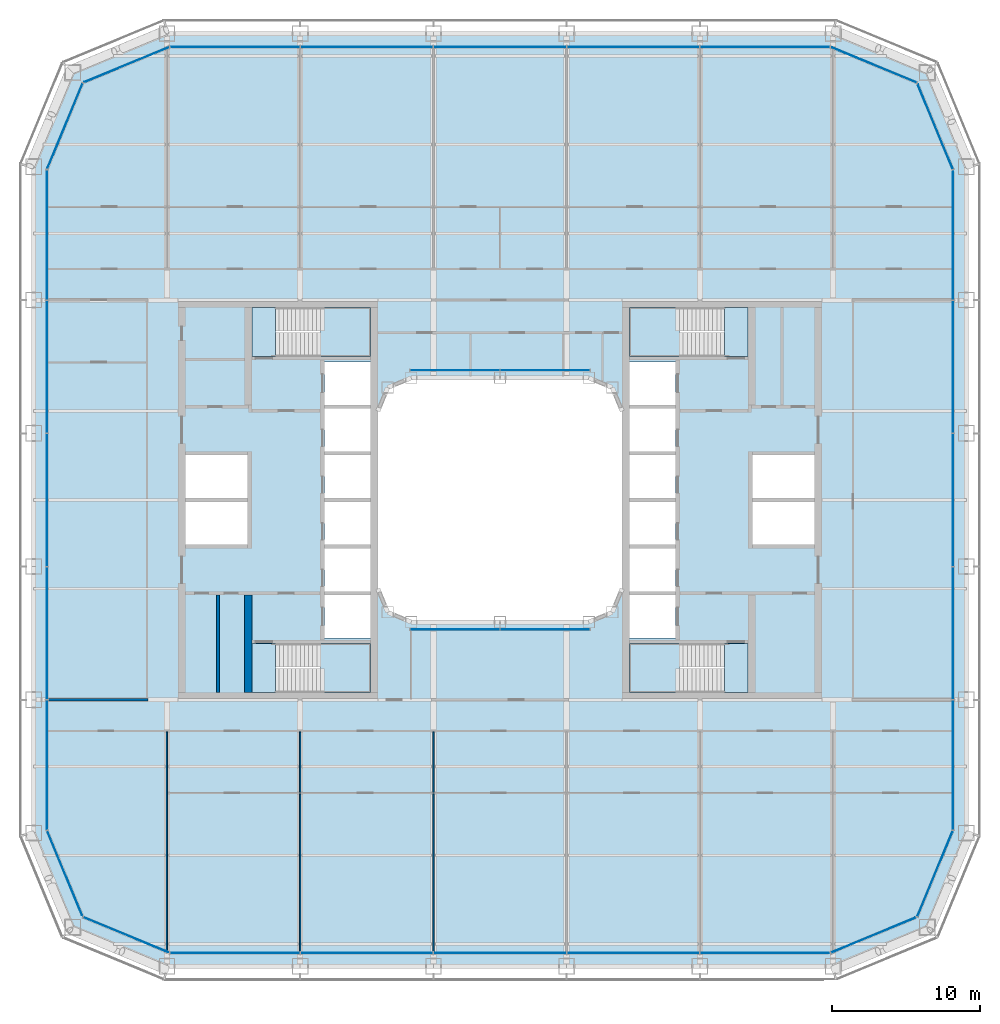
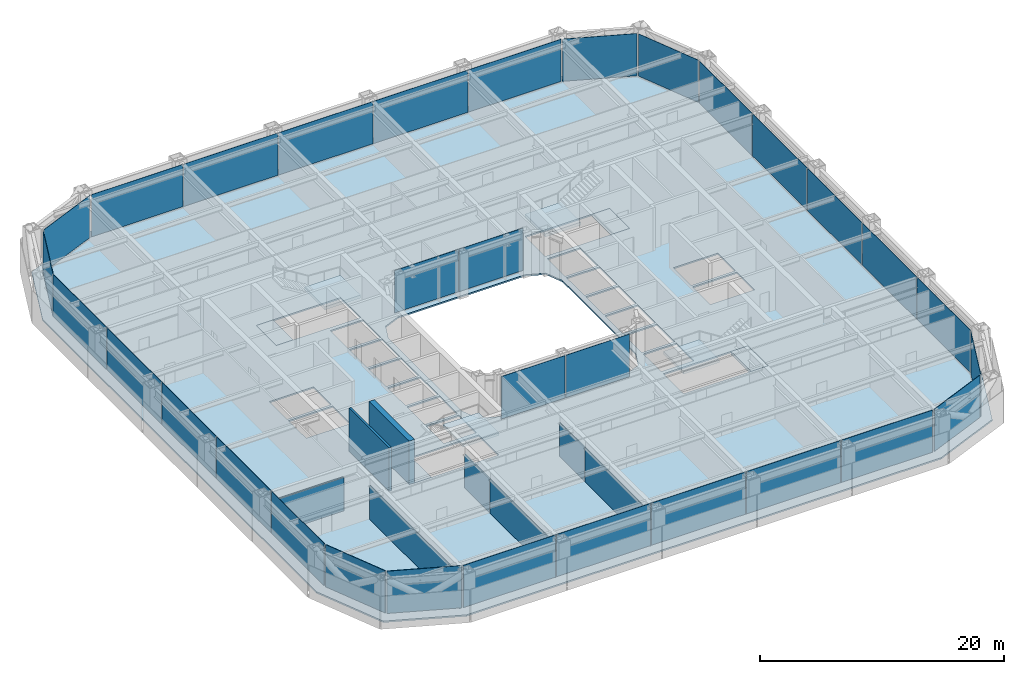
# One storey, part 11 of 24: 32 plates, 9 slabs, 8 walls, 18 elements without a shape of their own.
"""IFC4 building model written with IfcOpenShell, lengths in metres."""

from ifc_helpers import new_model, si_unit, direction, frame, frame_2d, origin, origin_2d, place, context, subcontext, project, spatial, polyline, rectangle, outline, extrude, material, layer, layer_set, type_object, element, aggregate, save


model = new_model("IFC4")

# Units and contexts
model_context = context("Model", 3, precision=1e-05, world=origin(), true_north=direction((0.0, 1.0)))
body_context = subcontext(model_context, "Body", "Model", "MODEL_VIEW")
ifc_project = project(units=[si_unit("LENGTHUNIT", "METRE"), si_unit("AREAUNIT", "SQUARE_METRE"), si_unit("VOLUMEUNIT", "CUBIC_METRE"), si_unit("PLANEANGLEUNIT", "RADIAN"), si_unit("MASSUNIT", "GRAM", prefix="KILO")], contexts=[model_context])

# Site, building, storey
site_placement = place(None, origin())
site = spatial("IfcSite", under=ifc_project, at=site_placement, CompositionType="ELEMENT")
building_placement = place(site_placement, origin())
building = spatial("IfcBuilding", under=site, at=building_placement, Name="Siwar Civic Tower", CompositionType="ELEMENT")
storey_placement = place(building_placement, frame((0.0, 0.0, 22.199951171875)))
storey = spatial("IfcBuildingStorey", under=building, at=storey_placement, Name="L04", CompositionType="ELEMENT", Elevation=22.199951171875)

# Stair, slabs
ifc_material_1 = material(Name="Concrete C40/50", Category="concrete")
stair_type = type_object("IfcStairType", Name="CORE-STAIR", PredefinedType="TWO_STRAIGHT_RUN_STAIR", material=ifc_material_1)
stair_1_placement = place(storey_placement, origin())
stair_1 = element("IfcStair", 1, at=stair_1_placement, inside=storey, type_object=stair_type, Name="Exit stair ST1", PredefinedType="TWO_STRAIGHT_RUN_STAIR")
ifc_material_2 = material(Name="Concrete C40/50", Category="concrete")
ifc_layer_1 = layer(ifc_material_2, 0.300048828125)
ifc_layer_set_1 = layer_set([ifc_layer_1], Name="Concrete C40/50")
slab_type_1 = type_object("IfcSlabType", Name="CORE-STAIR-LANDING", PredefinedType="LANDING", material=ifc_layer_set_1)
slab_1_placement = place(storey_placement, frame((0.0, 0.0, -0.300048828125)))
slab_1 = element("IfcSlab", 2, at=slab_1_placement, type_object=slab_type_1, Name="ST1 landing 1", PredefinedType="LANDING", context=body_context, shape_type="SweptSolid", body=[
    extrude(outline(polyline([(-15.14990234375, 13.0), (-16.75, 13.0), (-16.75, 9.699951171875), (-15.14990234375, 9.699951171875), (-15.14990234375, 13.0)])), origin(), (0.0, 0.0, 1.0), 0.300048828125),
])
slab_2_placement = place(storey_placement, frame((0.0, 0.0, 1.949951171875)))
slab_2 = element("IfcSlab", 3, at=slab_2_placement, type_object=slab_type_1, Name="ST1 landing 2", PredefinedType="LANDING", context=body_context, shape_type="SweptSolid", body=[
    extrude(outline(polyline([(-8.75, 13.0), (-12.139892578125, 13.0), (-12.139892578125, 9.699951171875), (-8.75, 9.699951171875), (-8.75, 13.0)])), origin(), (0.0, 0.0, 1.0), 0.300048828125),
])
aggregate(stair_1, [slab_1, slab_2])

stair_2_placement = place(storey_placement, origin())
stair_2 = element("IfcStair", 4, at=stair_2_placement, inside=storey, type_object=stair_type, Name="Exit stair ST2", PredefinedType="TWO_STRAIGHT_RUN_STAIR")
slab_3_placement = place(storey_placement, frame((0.0, 0.0, -0.300048828125)))
slab_3 = element("IfcSlab", 5, at=slab_3_placement, type_object=slab_type_1, Name="ST2 landing 1", PredefinedType="LANDING", context=body_context, shape_type="SweptSolid", body=[
    extrude(outline(polyline([(-15.14990234375, -9.699951171875), (-16.75, -9.699951171875), (-16.75, -13.0), (-15.14990234375, -13.0), (-15.14990234375, -9.699951171875)])), origin(), (0.0, 0.0, 1.0), 0.300048828125),
])
slab_4_placement = place(storey_placement, frame((0.0, 0.0, 1.949951171875)))
slab_4 = element("IfcSlab", 6, at=slab_4_placement, type_object=slab_type_1, Name="ST2 landing 2", PredefinedType="LANDING", context=body_context, shape_type="SweptSolid", body=[
    extrude(outline(polyline([(-8.75, -9.699951171875), (-12.139892578125, -9.699951171875), (-12.139892578125, -13.0), (-8.75, -13.0), (-8.75, -9.699951171875)])), origin(), (0.0, 0.0, 1.0), 0.300048828125),
])
aggregate(stair_2, [slab_3, slab_4])

stair_3_placement = place(storey_placement, origin())
stair_3 = element("IfcStair", 7, at=stair_3_placement, inside=storey, type_object=stair_type, Name="Exit stair ST3", PredefinedType="TWO_STRAIGHT_RUN_STAIR")
slab_5_placement = place(storey_placement, frame((0.0, 0.0, -0.300048828125)))
slab_5 = element("IfcSlab", 8, at=slab_5_placement, type_object=slab_type_1, Name="ST3 landing 1", PredefinedType="LANDING", context=body_context, shape_type="SweptSolid", body=[
    extrude(outline(polyline([(15.14990234375, 9.699951171875), (16.75, 9.699951171875), (16.75, 13.0), (15.14990234375, 13.0), (15.14990234375, 9.699951171875)])), origin(), (0.0, 0.0, 1.0), 0.300048828125),
])
slab_6_placement = place(storey_placement, frame((0.0, 0.0, 1.949951171875)))
slab_6 = element("IfcSlab", 9, at=slab_6_placement, type_object=slab_type_1, Name="ST3 landing 2", PredefinedType="LANDING", context=body_context, shape_type="SweptSolid", body=[
    extrude(outline(polyline([(8.75, 9.699951171875), (12.139892578125, 9.699951171875), (12.139892578125, 13.0), (8.75, 13.0), (8.75, 9.699951171875)])), origin(), (0.0, 0.0, 1.0), 0.300048828125),
])
aggregate(stair_3, [slab_5, slab_6])

stair_4_placement = place(storey_placement, origin())
stair_4 = element("IfcStair", 10, at=stair_4_placement, inside=storey, type_object=stair_type, Name="Exit stair ST4", PredefinedType="TWO_STRAIGHT_RUN_STAIR")
slab_7_placement = place(storey_placement, frame((0.0, 0.0, -0.300048828125)))
slab_7 = element("IfcSlab", 11, at=slab_7_placement, type_object=slab_type_1, Name="ST4 landing 1", PredefinedType="LANDING", context=body_context, shape_type="SweptSolid", body=[
    extrude(outline(polyline([(15.14990234375, -13.0), (16.75, -13.0), (16.75, -9.699951171875), (15.14990234375, -9.699951171875), (15.14990234375, -13.0)])), origin(), (0.0, 0.0, 1.0), 0.300048828125),
])
slab_8_placement = place(storey_placement, frame((0.0, 0.0, 1.949951171875)))
slab_8 = element("IfcSlab", 12, at=slab_8_placement, type_object=slab_type_1, Name="ST4 landing 2", PredefinedType="LANDING", context=body_context, shape_type="SweptSolid", body=[
    extrude(outline(polyline([(8.75, -13.0), (12.139892578125, -13.0), (12.139892578125, -9.699951171875), (8.75, -9.699951171875), (8.75, -13.0)])), origin(), (0.0, 0.0, 1.0), 0.300048828125),
])
aggregate(stair_4, [slab_7, slab_8])

# Curtain wall, plates
ifc_material_3 = material(Name="Aluminium and glass", Category="aluminium")
ifc_layer_2 = layer(ifc_material_3, 0.219970703125)
ifc_layer_set_2 = layer_set([ifc_layer_2], Name="Aluminium and glass")
curtain_wall_type_1 = type_object("IfcCurtainWallType", Name="ENV-CW-A", PredefinedType="NOTDEFINED", material=ifc_layer_set_2)
curtain_wall_1_placement = place(storey_placement, origin())
curtain_wall_1 = element("IfcCurtainWall", 13, at=curtain_wall_1_placement, inside=storey, type_object=curtain_wall_type_1, Name="Curtain wall A S", PredefinedType="NOTDEFINED")
ifc_material_4 = material(Name="Glass clear laminated", Category="glass")
ifc_layer_3 = layer(ifc_material_4, 0.035888671875)
ifc_layer_set_3 = layer_set([ifc_layer_3], Name="Glass clear laminated")
plate_type_1 = type_object("IfcPlateType", Name="ENV-PANEL-A", PredefinedType="CURTAIN_PANEL", material=ifc_layer_set_3)
plate_1_placement = place(storey_placement, frame((-17.910400390625, -30.60009765625, 0.1201171875), z_axis=(0.0, 0.0, 1.0), x_axis=(1.0, 0.0, 0.0)))
plate_1 = element("IfcPlate", 14, at=plate_1_placement, type_object=plate_type_1, Name="Curtain panel A S 1", PredefinedType="CURTAIN_PANEL", context=body_context, shape_type="SweptSolid", body=[
    extrude(rectangle(XDim=8.7509765625, YDim=0.035888671875, at=origin_2d()), origin(), (0.0, 0.0, 1.0), 4.22998046875),
])
plate_2_placement = place(storey_placement, frame((-9.0, -30.60009765625, 0.1201171875), z_axis=(0.0, 0.0, 1.0), x_axis=(1.0, 0.0, 0.0)))
plate_2 = element("IfcPlate", 15, at=plate_2_placement, type_object=plate_type_1, Name="Curtain panel A S 2", PredefinedType="CURTAIN_PANEL", context=body_context, shape_type="SweptSolid", body=[
    extrude(rectangle(XDim=8.929931640625, YDim=0.035888671875, at=origin_2d()), origin(), (0.0, 0.0, 1.0), 4.22998046875),
])
plate_3_placement = place(storey_placement, frame((0.0, -30.60009765625, 0.1201171875), z_axis=(0.0, 0.0, 1.0), x_axis=(1.0, 0.0, 0.0)))
plate_3 = element("IfcPlate", 16, at=plate_3_placement, type_object=plate_type_1, Name="Curtain panel A S 3", PredefinedType="CURTAIN_PANEL", context=body_context, shape_type="SweptSolid", body=[
    extrude(rectangle(XDim=8.929931640625, YDim=0.035888671875, at=origin_2d()), origin(), (0.0, 0.0, 1.0), 4.22998046875),
])
plate_4_placement = place(storey_placement, frame((9.0, -30.60009765625, 0.1201171875), z_axis=(0.0, 0.0, 1.0), x_axis=(1.0, 0.0, 0.0)))
plate_4 = element("IfcPlate", 17, at=plate_4_placement, type_object=plate_type_1, Name="Curtain panel A S 4", PredefinedType="CURTAIN_PANEL", context=body_context, shape_type="SweptSolid", body=[
    extrude(rectangle(XDim=8.929931640625, YDim=0.035888671875, at=origin_2d()), origin(), (0.0, 0.0, 1.0), 4.22998046875),
])
plate_5_placement = place(storey_placement, frame((17.86669921875, -30.60009765625, 0.1201171875), z_axis=(0.0, 0.0, 1.0), x_axis=(1.0, 0.0, 0.0)))
plate_5 = element("IfcPlate", 18, at=plate_5_placement, type_object=plate_type_1, Name="Curtain panel A S 5", PredefinedType="CURTAIN_PANEL", context=body_context, shape_type="SweptSolid", body=[
    extrude(rectangle(XDim=8.663330078125, YDim=0.035888671875, at=origin_2d()), origin(), (0.0, 0.0, 1.0), 4.22998046875),
])
aggregate(curtain_wall_1, [plate_1, plate_2, plate_3, plate_4, plate_5])

curtain_wall_2_placement = place(storey_placement, origin())
curtain_wall_2 = element("IfcCurtainWall", 19, at=curtain_wall_2_placement, inside=storey, type_object=curtain_wall_type_1, Name="Curtain wall A E", PredefinedType="NOTDEFINED")
plate_6_placement = place(storey_placement, frame((30.60009765625, -17.910400390625, 0.1201171875), z_axis=(0.0, 0.0, 1.0), x_axis=(0.0, 1.0, 0.0)))
plate_6 = element("IfcPlate", 20, at=plate_6_placement, type_object=plate_type_1, Name="Curtain panel A E 1", PredefinedType="CURTAIN_PANEL", context=body_context, shape_type="SweptSolid", body=[
    extrude(rectangle(XDim=8.7509765625, YDim=0.035888671875, at=origin_2d()), origin(), (0.0, 0.0, 1.0), 4.22998046875),
])
plate_7_placement = place(storey_placement, frame((30.60009765625, -9.0, 0.1201171875), z_axis=(0.0, 0.0, 1.0), x_axis=(0.0, 1.0, 0.0)))
plate_7 = element("IfcPlate", 21, at=plate_7_placement, type_object=plate_type_1, Name="Curtain panel A E 2", PredefinedType="CURTAIN_PANEL", context=body_context, shape_type="SweptSolid", body=[
    extrude(rectangle(XDim=8.929931640625, YDim=0.035888671875, at=origin_2d()), origin(), (0.0, 0.0, 1.0), 4.22998046875),
])
plate_8_placement = place(storey_placement, frame((30.60009765625, 0.0, 0.1201171875), z_axis=(0.0, 0.0, 1.0), x_axis=(0.0, 1.0, 0.0)))
plate_8 = element("IfcPlate", 22, at=plate_8_placement, type_object=plate_type_1, Name="Curtain panel A E 3", PredefinedType="CURTAIN_PANEL", context=body_context, shape_type="SweptSolid", body=[
    extrude(rectangle(XDim=8.929931640625, YDim=0.035888671875, at=origin_2d()), origin(), (0.0, 0.0, 1.0), 4.22998046875),
])
plate_9_placement = place(storey_placement, frame((30.60009765625, 9.0, 0.1201171875), z_axis=(0.0, 0.0, 1.0), x_axis=(0.0, 1.0, 0.0)))
plate_9 = element("IfcPlate", 23, at=plate_9_placement, type_object=plate_type_1, Name="Curtain panel A E 4", PredefinedType="CURTAIN_PANEL", context=body_context, shape_type="SweptSolid", body=[
    extrude(rectangle(XDim=8.929931640625, YDim=0.035888671875, at=origin_2d()), origin(), (0.0, 0.0, 1.0), 4.22998046875),
])
plate_10_placement = place(storey_placement, frame((30.60009765625, 17.86669921875, 0.1201171875), z_axis=(0.0, 0.0, 1.0), x_axis=(0.0, 1.0, 0.0)))
plate_10 = element("IfcPlate", 24, at=plate_10_placement, type_object=plate_type_1, Name="Curtain panel A E 5", PredefinedType="CURTAIN_PANEL", context=body_context, shape_type="SweptSolid", body=[
    extrude(rectangle(XDim=8.663330078125, YDim=0.035888671875, at=origin_2d()), origin(), (0.0, 0.0, 1.0), 4.22998046875),
])
aggregate(curtain_wall_2, [plate_6, plate_7, plate_8, plate_9, plate_10])

curtain_wall_3_placement = place(storey_placement, origin())
curtain_wall_3 = element("IfcCurtainWall", 25, at=curtain_wall_3_placement, inside=storey, type_object=curtain_wall_type_1, Name="Curtain wall A N", PredefinedType="NOTDEFINED")
plate_11_placement = place(storey_placement, frame((17.910400390625, 30.60009765625, 0.1201171875), z_axis=(0.0, 0.0, 1.0), x_axis=(-1.0, 0.0, 0.0)))
plate_11 = element("IfcPlate", 26, at=plate_11_placement, type_object=plate_type_1, Name="Curtain panel A N 1", PredefinedType="CURTAIN_PANEL", context=body_context, shape_type="SweptSolid", body=[
    extrude(rectangle(XDim=8.7509765625, YDim=0.035888671875, at=origin_2d()), origin(), (0.0, 0.0, 1.0), 4.22998046875),
])
plate_12_placement = place(storey_placement, frame((9.0, 30.60009765625, 0.1201171875), z_axis=(0.0, 0.0, 1.0), x_axis=(-1.0, 0.0, 0.0)))
plate_12 = element("IfcPlate", 27, at=plate_12_placement, type_object=plate_type_1, Name="Curtain panel A N 2", PredefinedType="CURTAIN_PANEL", context=body_context, shape_type="SweptSolid", body=[
    extrude(rectangle(XDim=8.929931640625, YDim=0.035888671875, at=origin_2d()), origin(), (0.0, 0.0, 1.0), 4.22998046875),
])
plate_13_placement = place(storey_placement, frame((0.0, 30.60009765625, 0.1201171875), z_axis=(0.0, 0.0, 1.0), x_axis=(-1.0, 0.0, 0.0)))
plate_13 = element("IfcPlate", 28, at=plate_13_placement, type_object=plate_type_1, Name="Curtain panel A N 3", PredefinedType="CURTAIN_PANEL", context=body_context, shape_type="SweptSolid", body=[
    extrude(rectangle(XDim=8.929931640625, YDim=0.035888671875, at=origin_2d()), origin(), (0.0, 0.0, 1.0), 4.22998046875),
])
plate_14_placement = place(storey_placement, frame((-9.0, 30.60009765625, 0.1201171875), z_axis=(0.0, 0.0, 1.0), x_axis=(-1.0, 0.0, 0.0)))
plate_14 = element("IfcPlate", 29, at=plate_14_placement, type_object=plate_type_1, Name="Curtain panel A N 4", PredefinedType="CURTAIN_PANEL", context=body_context, shape_type="SweptSolid", body=[
    extrude(rectangle(XDim=8.929931640625, YDim=0.035888671875, at=origin_2d()), origin(), (0.0, 0.0, 1.0), 4.22998046875),
])
plate_15_placement = place(storey_placement, frame((-17.86669921875, 30.60009765625, 0.1201171875), z_axis=(0.0, 0.0, 1.0), x_axis=(-1.0, 0.0, 0.0)))
plate_15 = element("IfcPlate", 30, at=plate_15_placement, type_object=plate_type_1, Name="Curtain panel A N 5", PredefinedType="CURTAIN_PANEL", context=body_context, shape_type="SweptSolid", body=[
    extrude(rectangle(XDim=8.663330078125, YDim=0.035888671875, at=origin_2d()), origin(), (0.0, 0.0, 1.0), 4.22998046875),
])
aggregate(curtain_wall_3, [plate_11, plate_12, plate_13, plate_14, plate_15])

curtain_wall_4_placement = place(storey_placement, origin())
curtain_wall_4 = element("IfcCurtainWall", 31, at=curtain_wall_4_placement, inside=storey, type_object=curtain_wall_type_1, Name="Curtain wall A W", PredefinedType="NOTDEFINED")
plate_16_placement = place(storey_placement, frame((-30.60009765625, 17.910400390625, 0.1201171875), z_axis=(0.0, 0.0, 1.0), x_axis=(0.0, -1.0, 0.0)))
plate_16 = element("IfcPlate", 32, at=plate_16_placement, type_object=plate_type_1, Name="Curtain panel A W 1", PredefinedType="CURTAIN_PANEL", context=body_context, shape_type="SweptSolid", body=[
    extrude(rectangle(XDim=8.7509765625, YDim=0.035888671875, at=origin_2d()), origin(), (0.0, 0.0, 1.0), 4.22998046875),
])
plate_17_placement = place(storey_placement, frame((-30.60009765625, 9.0, 0.1201171875), z_axis=(0.0, 0.0, 1.0), x_axis=(0.0, -1.0, 0.0)))
plate_17 = element("IfcPlate", 33, at=plate_17_placement, type_object=plate_type_1, Name="Curtain panel A W 2", PredefinedType="CURTAIN_PANEL", context=body_context, shape_type="SweptSolid", body=[
    extrude(rectangle(XDim=8.929931640625, YDim=0.035888671875, at=origin_2d()), origin(), (0.0, 0.0, 1.0), 4.22998046875),
])
plate_18_placement = place(storey_placement, frame((-30.60009765625, 0.0, 0.1201171875), z_axis=(0.0, 0.0, 1.0), x_axis=(0.0, -1.0, 0.0)))
plate_18 = element("IfcPlate", 34, at=plate_18_placement, type_object=plate_type_1, Name="Curtain panel A W 3", PredefinedType="CURTAIN_PANEL", context=body_context, shape_type="SweptSolid", body=[
    extrude(rectangle(XDim=8.929931640625, YDim=0.035888671875, at=origin_2d()), origin(), (0.0, 0.0, 1.0), 4.22998046875),
])
plate_19_placement = place(storey_placement, frame((-30.60009765625, -9.0, 0.1201171875), z_axis=(0.0, 0.0, 1.0), x_axis=(0.0, -1.0, 0.0)))
plate_19 = element("IfcPlate", 35, at=plate_19_placement, type_object=plate_type_1, Name="Curtain panel A W 4", PredefinedType="CURTAIN_PANEL", context=body_context, shape_type="SweptSolid", body=[
    extrude(rectangle(XDim=8.929931640625, YDim=0.035888671875, at=origin_2d()), origin(), (0.0, 0.0, 1.0), 4.22998046875),
])
plate_20_placement = place(storey_placement, frame((-30.60009765625, -17.86669921875, 0.1201171875), z_axis=(0.0, 0.0, 1.0), x_axis=(0.0, -1.0, 0.0)))
plate_20 = element("IfcPlate", 36, at=plate_20_placement, type_object=plate_type_1, Name="Curtain panel A W 5", PredefinedType="CURTAIN_PANEL", context=body_context, shape_type="SweptSolid", body=[
    extrude(rectangle(XDim=8.663330078125, YDim=0.035888671875, at=origin_2d()), origin(), (0.0, 0.0, 1.0), 4.22998046875),
])
aggregate(curtain_wall_4, [plate_16, plate_17, plate_18, plate_19, plate_20])

# Curtain wall, plate
ifc_material_5 = material(Name="Aluminium clad insulated panel", Category="aluminium")
ifc_layer_4 = layer(ifc_material_5, 0.219970703125)
ifc_layer_set_4 = layer_set([ifc_layer_4], Name="Aluminium clad insulated panel")
curtain_wall_type_2 = type_object("IfcCurtainWallType", Name="ENV-CW-AX", PredefinedType="NOTDEFINED", material=ifc_layer_set_4)
curtain_wall_5_placement = place(storey_placement, origin())
curtain_wall_5 = element("IfcCurtainWall", 37, at=curtain_wall_5_placement, inside=storey, type_object=curtain_wall_type_2, Name="Curtain wall A SE1", PredefinedType="NOTDEFINED")
ifc_material_6 = material(Name="Aluminium clad insulated panel", Category="aluminium")
ifc_layer_5 = layer(ifc_material_6, 0.035888671875)
ifc_layer_set_5 = layer_set([ifc_layer_5], Name="Aluminium clad insulated panel")
plate_type_2 = type_object("IfcPlateType", Name="ENV-PANEL-AX", PredefinedType="CURTAIN_PANEL", material=ifc_layer_set_5)
plate_21_placement = place(storey_placement, frame((25.20751953125, -29.404296875, 0.1201171875), z_axis=(0.0, 0.0, 1.0), x_axis=(0.923879532511, 0.382683432365, 0.0)))
plate_21 = element("IfcPlate", 38, at=plate_21_placement, type_object=plate_type_2, Name="Curtain panel A SE1 1", PredefinedType="CURTAIN_PANEL", context=body_context, shape_type="SweptSolid", body=[
    extrude(rectangle(XDim=6.178955078125, YDim=0.035888671875, at=origin_2d()), origin(), (0.0, 0.0, 1.0), 4.22998046875),
])
aggregate(curtain_wall_5, [plate_21])

curtain_wall_6_placement = place(storey_placement, origin())
curtain_wall_6 = element("IfcCurtainWall", 39, at=curtain_wall_6_placement, inside=storey, type_object=curtain_wall_type_2, Name="Curtain wall A SE2", PredefinedType="NOTDEFINED")
plate_22_placement = place(storey_placement, frame((29.370849609375, -25.28857421875, 0.1201171875), z_axis=(0.0, 0.0, 1.0), x_axis=(0.382683432365, 0.923879532511, 0.0)))
plate_22 = element("IfcPlate", 40, at=plate_22_placement, type_object=plate_type_2, Name="Curtain panel A SE2 1", PredefinedType="CURTAIN_PANEL", context=body_context, shape_type="SweptSolid", body=[
    extrude(rectangle(XDim=6.178955078125, YDim=0.035888671875, at=origin_2d()), origin(), (0.0, 0.0, 1.0), 4.22998046875),
])
aggregate(curtain_wall_6, [plate_22])

curtain_wall_7_placement = place(storey_placement, origin())
curtain_wall_7 = element("IfcCurtainWall", 41, at=curtain_wall_7_placement, inside=storey, type_object=curtain_wall_type_2, Name="Curtain wall A NE1", PredefinedType="NOTDEFINED")
plate_23_placement = place(storey_placement, frame((29.404296875, 25.20751953125, 0.1201171875), z_axis=(0.0, 0.0, 1.0), x_axis=(-0.382683432365, 0.923879532511, 0.0)))
plate_23 = element("IfcPlate", 42, at=plate_23_placement, type_object=plate_type_2, Name="Curtain panel A NE1 1", PredefinedType="CURTAIN_PANEL", context=body_context, shape_type="SweptSolid", body=[
    extrude(rectangle(XDim=6.178955078125, YDim=0.035888671875, at=origin_2d()), origin(), (0.0, 0.0, 1.0), 4.22998046875),
])
aggregate(curtain_wall_7, [plate_23])

curtain_wall_8_placement = place(storey_placement, origin())
curtain_wall_8 = element("IfcCurtainWall", 43, at=curtain_wall_8_placement, inside=storey, type_object=curtain_wall_type_2, Name="Curtain wall A NE2", PredefinedType="NOTDEFINED")
plate_24_placement = place(storey_placement, frame((25.28857421875, 29.370849609375, 0.1201171875), z_axis=(0.0, 0.0, 1.0), x_axis=(-0.923879532511, 0.382683432365, 0.0)))
plate_24 = element("IfcPlate", 44, at=plate_24_placement, type_object=plate_type_2, Name="Curtain panel A NE2 1", PredefinedType="CURTAIN_PANEL", context=body_context, shape_type="SweptSolid", body=[
    extrude(rectangle(XDim=6.178955078125, YDim=0.035888671875, at=origin_2d()), origin(), (0.0, 0.0, 1.0), 4.22998046875),
])
aggregate(curtain_wall_8, [plate_24])

curtain_wall_9_placement = place(storey_placement, origin())
curtain_wall_9 = element("IfcCurtainWall", 45, at=curtain_wall_9_placement, inside=storey, type_object=curtain_wall_type_2, Name="Curtain wall A NW1", PredefinedType="NOTDEFINED")
plate_25_placement = place(storey_placement, frame((-25.20751953125, 29.404296875, 0.1201171875), z_axis=(0.0, 0.0, 1.0), x_axis=(-0.923879532511, -0.382683432365, 0.0)))
plate_25 = element("IfcPlate", 46, at=plate_25_placement, type_object=plate_type_2, Name="Curtain panel A NW1 1", PredefinedType="CURTAIN_PANEL", context=body_context, shape_type="SweptSolid", body=[
    extrude(rectangle(XDim=6.178955078125, YDim=0.035888671875, at=origin_2d()), origin(), (0.0, 0.0, 1.0), 4.22998046875),
])
aggregate(curtain_wall_9, [plate_25])

curtain_wall_10_placement = place(storey_placement, origin())
curtain_wall_10 = element("IfcCurtainWall", 47, at=curtain_wall_10_placement, inside=storey, type_object=curtain_wall_type_2, Name="Curtain wall A NW2", PredefinedType="NOTDEFINED")
plate_26_placement = place(storey_placement, frame((-29.370849609375, 25.28857421875, 0.1201171875), z_axis=(0.0, 0.0, 1.0), x_axis=(-0.382683432365, -0.923879532511, 0.0)))
plate_26 = element("IfcPlate", 48, at=plate_26_placement, type_object=plate_type_2, Name="Curtain panel A NW2 1", PredefinedType="CURTAIN_PANEL", context=body_context, shape_type="SweptSolid", body=[
    extrude(rectangle(XDim=6.178955078125, YDim=0.035888671875, at=origin_2d()), origin(), (0.0, 0.0, 1.0), 4.22998046875),
])
aggregate(curtain_wall_10, [plate_26])

curtain_wall_11_placement = place(storey_placement, origin())
curtain_wall_11 = element("IfcCurtainWall", 49, at=curtain_wall_11_placement, inside=storey, type_object=curtain_wall_type_2, Name="Curtain wall A SW1", PredefinedType="NOTDEFINED")
plate_27_placement = place(storey_placement, frame((-29.404296875, -25.20751953125, 0.1201171875), z_axis=(0.0, 0.0, 1.0), x_axis=(0.382683432365, -0.923879532511, 0.0)))
plate_27 = element("IfcPlate", 50, at=plate_27_placement, type_object=plate_type_2, Name="Curtain panel A SW1 1", PredefinedType="CURTAIN_PANEL", context=body_context, shape_type="SweptSolid", body=[
    extrude(rectangle(XDim=6.178955078125, YDim=0.035888671875, at=origin_2d()), origin(), (0.0, 0.0, 1.0), 4.22998046875),
])
aggregate(curtain_wall_11, [plate_27])

curtain_wall_12_placement = place(storey_placement, origin())
curtain_wall_12 = element("IfcCurtainWall", 51, at=curtain_wall_12_placement, inside=storey, type_object=curtain_wall_type_2, Name="Curtain wall A SW2", PredefinedType="NOTDEFINED")
plate_28_placement = place(storey_placement, frame((-25.28857421875, -29.370849609375, 0.1201171875), z_axis=(0.0, 0.0, 1.0), x_axis=(0.923879532511, -0.382683432365, 0.0)))
plate_28 = element("IfcPlate", 52, at=plate_28_placement, type_object=plate_type_2, Name="Curtain panel A SW2 1", PredefinedType="CURTAIN_PANEL", context=body_context, shape_type="SweptSolid", body=[
    extrude(rectangle(XDim=6.178955078125, YDim=0.035888671875, at=origin_2d()), origin(), (0.0, 0.0, 1.0), 4.22998046875),
])
aggregate(curtain_wall_12, [plate_28])

# Curtain wall, plates
ifc_material_7 = material(Name="Aluminium and glass", Category="aluminium")
ifc_layer_6 = layer(ifc_material_7, 0.179931640625)
ifc_layer_set_6 = layer_set([ifc_layer_6], Name="Aluminium and glass")
curtain_wall_type_3 = type_object("IfcCurtainWallType", Name="ENV-CW-W", PredefinedType="NOTDEFINED", material=ifc_layer_set_6)
curtain_wall_13_placement = place(storey_placement, origin())
curtain_wall_13 = element("IfcCurtainWall", 53, at=curtain_wall_13_placement, inside=storey, type_object=curtain_wall_type_3, Name="Curtain wall W WS", PredefinedType="NOTDEFINED")
ifc_material_8 = material(Name="Glass clear laminated", Category="glass")
ifc_layer_7 = layer(ifc_material_8, 0.031982421875)
ifc_layer_set_7 = layer_set([ifc_layer_7], Name="Glass clear laminated")
plate_type_3 = type_object("IfcPlateType", Name="ENV-PANEL-W", PredefinedType="CURTAIN_PANEL", material=ifc_layer_set_7)
plate_29_placement = place(storey_placement, frame((-3.05078125, -8.760009765625, 0.10009765625), z_axis=(0.0, 0.0, 1.0), x_axis=(1.0, 0.0, 0.0)))
plate_29 = element("IfcPlate", 54, at=plate_29_placement, type_object=plate_type_3, Name="Curtain panel W WS 1", PredefinedType="CURTAIN_PANEL", context=body_context, shape_type="SweptSolid", body=[
    extrude(rectangle(XDim=6.04150390625, YDim=0.031982421875, at=origin_2d()), origin(), (0.0, 0.0, 1.0), 4.25),
])
plate_30_placement = place(storey_placement, frame((3.05078125, -8.760009765625, 0.10009765625), z_axis=(0.0, 0.0, 1.0), x_axis=(1.0, 0.0, 0.0)))
plate_30 = element("IfcPlate", 55, at=plate_30_placement, type_object=plate_type_3, Name="Curtain panel W WS 2", PredefinedType="CURTAIN_PANEL", context=body_context, shape_type="SweptSolid", body=[
    extrude(rectangle(XDim=6.04150390625, YDim=0.031982421875, at=origin_2d()), origin(), (0.0, 0.0, 1.0), 4.25),
])
aggregate(curtain_wall_13, [plate_29, plate_30])

curtain_wall_14_placement = place(storey_placement, origin())
curtain_wall_14 = element("IfcCurtainWall", 56, at=curtain_wall_14_placement, inside=storey, type_object=curtain_wall_type_3, Name="Curtain wall W WN", PredefinedType="NOTDEFINED")
plate_31_placement = place(storey_placement, frame((3.05078125, 8.760009765625, 0.10009765625), z_axis=(0.0, 0.0, 1.0), x_axis=(-1.0, 0.0, 0.0)))
plate_31 = element("IfcPlate", 57, at=plate_31_placement, type_object=plate_type_3, Name="Curtain panel W WN 1", PredefinedType="CURTAIN_PANEL", context=body_context, shape_type="SweptSolid", body=[
    extrude(rectangle(XDim=6.04150390625, YDim=0.031982421875, at=origin_2d()), origin(), (0.0, 0.0, 1.0), 4.25),
])
plate_32_placement = place(storey_placement, frame((-3.05078125, 8.760009765625, 0.10009765625), z_axis=(0.0, 0.0, 1.0), x_axis=(-1.0, 0.0, 0.0)))
plate_32 = element("IfcPlate", 58, at=plate_32_placement, type_object=plate_type_3, Name="Curtain panel W WN 2", PredefinedType="CURTAIN_PANEL", context=body_context, shape_type="SweptSolid", body=[
    extrude(rectangle(XDim=6.04150390625, YDim=0.031982421875, at=origin_2d()), origin(), (0.0, 0.0, 1.0), 4.25),
])
aggregate(curtain_wall_14, [plate_31, plate_32])

# Slab
ifc_material_9 = material(Name="Concrete C40/50", Category="concrete")
ifc_layer_8 = layer(ifc_material_9, 0.14990234375)
ifc_layer_set_8 = layer_set([ifc_layer_8], Name="Concrete C40/50")
slab_type_2 = type_object("IfcSlabType", Name="STR-FLOOR-DECK-150", PredefinedType="FLOOR", material=ifc_layer_set_8)
slab_9_placement = place(storey_placement, frame((0.0, 0.0, -0.14990234375)))
element("IfcSlab", 59, at=slab_9_placement, inside=storey, type_object=slab_type_2, Name="L04/slab/1", PredefinedType="FLOOR", context=body_context, shape_type="SweptSolid", body=[
    extrude(outline(polyline([(-22.5, -31.5), (22.5, -31.5), (28.864013671875, -28.864013671875), (31.5, -22.5), (31.5, 22.5), (28.864013671875, 28.864013671875), (22.5, 31.5), (-22.5, 31.5), (-28.864013671875, 28.864013671875), (-31.5, 22.5), (-31.5, -22.5), (-28.864013671875, -28.864013671875), (-22.5, -31.5)]), holes=[polyline([(21.25, 3.02490234375), (21.25, 0.125), (17.050048828125, 0.125), (17.050048828125, 3.02490234375), (21.25, 3.02490234375)]), polyline([(17.050048828125, -0.125), (21.25, -0.125), (21.25, -3.02490234375), (17.050048828125, -3.02490234375), (17.050048828125, -0.125)]), polyline([(16.75, 13.0), (16.75, 9.699951171875), (8.75, 9.699951171875), (8.75, 13.0), (16.75, 13.0)]), polyline([(8.75, -9.699951171875), (16.75, -9.699951171875), (16.75, -13.0), (8.75, -13.0), (8.75, -9.699951171875)]), polyline([(11.85009765625, 9.324951171875), (11.85009765625, 6.425048828125), (8.75, 6.425048828125), (8.75, 9.324951171875), (11.85009765625, 9.324951171875)]), polyline([(11.85009765625, 3.02490234375), (11.85009765625, 0.125), (8.75, 0.125), (8.75, 3.02490234375), (11.85009765625, 3.02490234375)]), polyline([(11.85009765625, -0.125), (11.85009765625, -3.02490234375), (8.75, -3.02490234375), (8.75, -0.125), (11.85009765625, -0.125)]), polyline([(11.85009765625, -3.27490234375), (11.85009765625, -6.175048828125), (8.75, -6.175048828125), (8.75, -3.27490234375), (11.85009765625, -3.27490234375)]), polyline([(8.75, 6.175048828125), (11.85009765625, 6.175048828125), (11.85009765625, 3.27490234375), (8.75, 3.27490234375), (8.75, 6.175048828125)]), polyline([(8.75, -6.425048828125), (11.85009765625, -6.425048828125), (11.85009765625, -9.324951171875), (8.75, -9.324951171875), (8.75, -6.425048828125)]), polyline([(-6.0, 8.25), (6.0, 8.25), (7.591064453125, 7.591064453125), (8.25, 6.0), (8.25, -6.0), (7.591064453125, -7.591064453125), (6.0, -8.25), (-6.0, -8.25), (-7.591064453125, -7.591064453125), (-8.25, -6.0), (-8.25, 6.0), (-7.591064453125, 7.591064453125), (-6.0, 8.25)]), polyline([(-8.75, 9.699951171875), (-16.75, 9.699951171875), (-16.75, 13.0), (-8.75, 13.0), (-8.75, 9.699951171875)]), polyline([(-8.75, 0.125), (-11.85009765625, 0.125), (-11.85009765625, 3.02490234375), (-8.75, 3.02490234375), (-8.75, 0.125)]), polyline([(-8.75, -6.175048828125), (-11.85009765625, -6.175048828125), (-11.85009765625, -3.27490234375), (-8.75, -3.27490234375), (-8.75, -6.175048828125)]), polyline([(-8.75, -9.324951171875), (-11.85009765625, -9.324951171875), (-11.85009765625, -6.425048828125), (-8.75, -6.425048828125), (-8.75, -9.324951171875)]), polyline([(-8.75, -13.0), (-16.75, -13.0), (-16.75, -9.699951171875), (-8.75, -9.699951171875), (-8.75, -13.0)]), polyline([(-11.85009765625, 6.425048828125), (-11.85009765625, 9.324951171875), (-8.75, 9.324951171875), (-8.75, 6.425048828125), (-11.85009765625, 6.425048828125)]), polyline([(-11.85009765625, 3.27490234375), (-11.85009765625, 6.175048828125), (-8.75, 6.175048828125), (-8.75, 3.27490234375), (-11.85009765625, 3.27490234375)]), polyline([(-11.85009765625, -3.02490234375), (-11.85009765625, -0.125), (-8.75, -0.125), (-8.75, -3.02490234375), (-11.85009765625, -3.02490234375)]), polyline([(-21.25, -3.02490234375), (-21.25, -0.125), (-17.050048828125, -0.125), (-17.050048828125, -3.02490234375), (-21.25, -3.02490234375)]), polyline([(-17.050048828125, 0.125), (-21.25, 0.125), (-21.25, 3.02490234375), (-17.050048828125, 3.02490234375), (-17.050048828125, 0.125)])]), origin(), (0.0, 0.0, 1.0), 0.14990234375),
])

# Walls
ifc_material_10 = material(Name="Gypsum board on steel studs", Category="steel")
ifc_layer_9 = layer(ifc_material_10, 0.199951171875)
ifc_layer_set_9 = layer_set([ifc_layer_9], Name="Gypsum board on steel studs")
wall_type_1 = type_object("IfcWallType", Name="CORE-PARTITION-200", PredefinedType="PARTITIONING", material=ifc_layer_set_9)
wall_1_placement = place(storey_placement, frame((-19.050048828125, -13.0, 0.0), z_axis=(0.0, 0.0, 1.0), x_axis=(0.0, 1.0, 0.0)))
element("IfcWall", 60, at=wall_1_placement, inside=storey, type_object=wall_type_1, Name="Core partition W", PredefinedType="PARTITIONING", context=body_context, shape_type="SweptSolid", body=[
    extrude(rectangle(XDim=6.574951171875, YDim=0.199951171875, at=frame_2d((3.28759765625, 0.0))), origin(), (0.0, 0.0, 1.0), 4.35009765625),
])
ifc_material_11 = material(Name="Concrete C60/75", Category="concrete")
ifc_layer_10 = layer(ifc_material_11, 0.5)
ifc_layer_set_10 = layer_set([ifc_layer_10], Name="Concrete C60/75")
wall_type_2 = type_object("IfcWallType", Name="CORE-WALL-RC500", PredefinedType="SHEAR", material=ifc_layer_set_10)
wall_2_placement = place(storey_placement, frame((-17.0, -13.0, 0.0), z_axis=(0.0, 0.0, 1.0), x_axis=(0.0, 1.0, 0.0)))
element("IfcWall", 61, at=wall_2_placement, inside=storey, type_object=wall_type_2, Name="Core wall W", PredefinedType="SHEAR", context=body_context, shape_type="SweptSolid", body=[
    extrude(rectangle(XDim=6.574951171875, YDim=0.5, at=frame_2d((3.28759765625, 0.0))), origin(), (0.0, 0.0, 1.0), 4.35009765625),
])
ifc_material_12 = material(Name="Gypsum board on steel studs", Category="steel")
ifc_layer_11 = layer(ifc_material_12, 0.14990234375)
ifc_layer_set_11 = layer_set([ifc_layer_11], Name="Gypsum board on steel studs")
wall_type_3 = type_object("IfcWallType", Name="CORRIDOR PARTITION 150 EI 30", PredefinedType="PARTITIONING", material=ifc_layer_set_11)
wall_3_placement = place(storey_placement, frame((-30.510009765625, -13.5, 0.0), z_axis=(0.0, 0.0, 1.0), x_axis=(1.0, 0.0, 0.0)))
element("IfcWall", 62, at=wall_3_placement, inside=storey, type_object=wall_type_3, Name="L04/wall/P03", PredefinedType="PARTITIONING", context=body_context, shape_type="SweptSolid", body=[
    extrude(rectangle(XDim=6.735107421875, YDim=0.14990234375, at=frame_2d((3.36767578125, 0.0))), origin(), (0.0, 0.0, 1.0), 3.35009765625),
])
ifc_material_13 = material(Name="Gypsum board on steel studs", Category="steel")
ifc_layer_12 = layer(ifc_material_13, 0.10009765625)
ifc_layer_set_12 = layer_set([ifc_layer_12], Name="Gypsum board on steel studs")
wall_type_4 = type_object("IfcWallType", Name="PARTITION 100 GYPSUM", PredefinedType="PARTITIONING", material=ifc_layer_set_12)
wall_4_placement = place(storey_placement, frame((-22.5, -30.427978515625, 0.0), z_axis=(0.0, 0.0, 1.0), x_axis=(0.0, 1.0, 0.0)))
element("IfcWall", 63, at=wall_4_placement, inside=storey, type_object=wall_type_4, Name="L04/wall/P15", PredefinedType="PARTITIONING", context=body_context, shape_type="SweptSolid", body=[
    extrude(rectangle(XDim=14.7529296875, YDim=0.10009765625, at=frame_2d((7.37646484375, 0.0))), origin(), (0.0, 0.0, 1.0), 3.35009765625),
])
wall_5_placement = place(storey_placement, frame((-13.5, -30.510009765625, 0.0), z_axis=(0.0, 0.0, 1.0), x_axis=(0.0, 1.0, 0.0)))
element("IfcWall", 64, at=wall_5_placement, inside=storey, type_object=wall_type_4, Name="L04/wall/P18", PredefinedType="PARTITIONING", context=body_context, shape_type="SweptSolid", body=[
    extrude(rectangle(XDim=10.659912109375, YDim=0.10009765625, at=frame_2d((5.330078125, 0.0))), origin(), (0.0, 0.0, 1.0), 3.35009765625),
])
wall_6_placement = place(storey_placement, frame((-13.5, -19.75, 0.0), z_axis=(0.0, 0.0, 1.0), x_axis=(0.0, 1.0, 0.0)))
element("IfcWall", 65, at=wall_6_placement, inside=storey, type_object=wall_type_4, Name="L04/wall/P19", PredefinedType="PARTITIONING", context=body_context, shape_type="SweptSolid", body=[
    extrude(rectangle(XDim=4.074951171875, YDim=0.10009765625, at=frame_2d((2.03759765625, 0.0))), origin(), (0.0, 0.0, 1.0), 3.35009765625),
])
wall_7_placement = place(storey_placement, frame((-4.5, -30.510009765625, 0.0), z_axis=(0.0, 0.0, 1.0), x_axis=(0.0, 1.0, 0.0)))
element("IfcWall", 66, at=wall_7_placement, inside=storey, type_object=wall_type_4, Name="L04/wall/P23", PredefinedType="PARTITIONING", context=body_context, shape_type="SweptSolid", body=[
    extrude(rectangle(XDim=10.659912109375, YDim=0.10009765625, at=frame_2d((5.330078125, 0.0))), origin(), (0.0, 0.0, 1.0), 3.35009765625),
])
wall_8_placement = place(storey_placement, frame((-4.5, -19.75, 0.0), z_axis=(0.0, 0.0, 1.0), x_axis=(0.0, 1.0, 0.0)))
element("IfcWall", 67, at=wall_8_placement, inside=storey, type_object=wall_type_4, Name="L04/wall/P24", PredefinedType="PARTITIONING", context=body_context, shape_type="SweptSolid", body=[
    extrude(rectangle(XDim=4.074951171875, YDim=0.10009765625, at=frame_2d((2.03759765625, 0.0))), origin(), (0.0, 0.0, 1.0), 3.35009765625),
])

save(model, "model.ifc")
